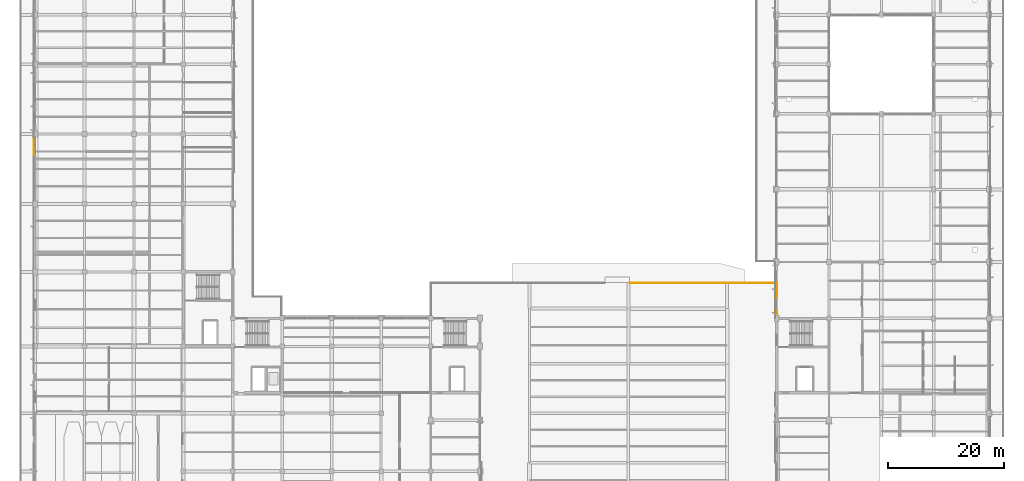
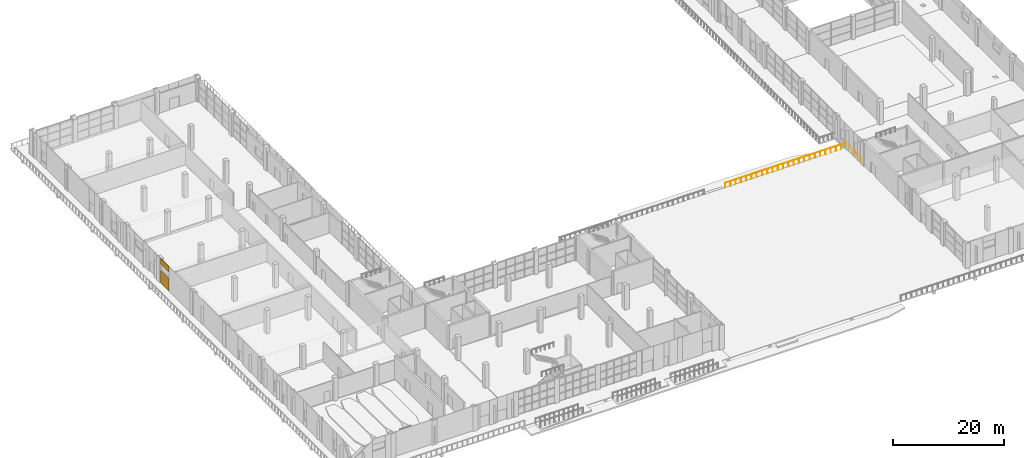
# One storey, part 82 of 90: 2 coverings, 1 railing.
"""IFC4 building model written with IfcOpenShell, lengths in metres."""

from ifc_helpers import new_model, si_unit, direction, frame, origin, origin_2d, place, context, subcontext, project, spatial, rectangle, circle, extrude, material, layer, layer_set, type_object, element, save


model = new_model("IFC4")

# Units and contexts
model_context = context("Model", 3, precision=1e-05, world=origin(), true_north=direction((0.0, 1.0)))
body_context = subcontext(model_context, "Body", "Model", "MODEL_VIEW")
ifc_project = project(units=[si_unit("LENGTHUNIT", "METRE"), si_unit("AREAUNIT", "SQUARE_METRE"), si_unit("VOLUMEUNIT", "CUBIC_METRE"), si_unit("PLANEANGLEUNIT", "RADIAN"), si_unit("MASSUNIT", "GRAM", prefix="KILO")], contexts=[model_context])

# Site, building, storey
site_placement = place(None, origin())
site = spatial("IfcSite", under=ifc_project, at=site_placement, CompositionType="ELEMENT")
building_placement = place(site_placement, origin())
building = spatial("IfcBuilding", under=site, at=building_placement, Name="Solvikara Media Centre", CompositionType="ELEMENT")
storey_placement = place(building_placement, origin())
storey = spatial("IfcBuildingStorey", under=building, at=storey_placement, Name="L00", CompositionType="ELEMENT", Elevation=0.0)

# Coverings
ifc_material_1 = material(Name="GFRC white mineral architectural rainscreen panel")
ifc_layer = layer(ifc_material_1, 0.050048828125)
ifc_layer_set = layer_set([ifc_layer], Name="GFRC white mineral architectural rainscreen panel")
covering_type = type_object("IfcCoveringType", Name="CV-04", PredefinedType="CLADDING", material=ifc_layer_set)
covering_1_placement = place(storey_placement, frame((-0.2451171875, 66.330078125, 0.0), z_axis=(0.0, 0.0, 1.0), x_axis=(0.0, 1.0, 0.0)))
element("IfcCovering", 1, at=covering_1_placement, inside=storey, type_object=covering_type, Name="L00-V4W-CV-S04", PredefinedType="CLADDING", context=body_context, shape_type="SweptSolid", body=[
    extrude(rectangle(XDim=3.0, YDim=0.050048828125, at=origin_2d()), origin(), (0.0, 0.0, 1.0), 2.68994140625),
])
covering_2_placement = place(storey_placement, frame((-0.2451171875, 66.330078125, 4.14990234375), z_axis=(0.0, 0.0, 1.0), x_axis=(0.0, 1.0, 0.0)))
element("IfcCovering", 2, at=covering_2_placement, inside=storey, type_object=covering_type, Name="L00-V4W-CV-H04", PredefinedType="CLADDING", context=body_context, shape_type="SweptSolid", body=[
    extrude(rectangle(XDim=3.0, YDim=0.050048828125, at=origin_2d()), origin(), (0.0, 0.0, 1.0), 1.25),
])

# Railing
ifc_material_2 = material(Name="Steel S355JR", Category="steel")
railing_type = type_object("IfcRailingType", Name="GR-01", PredefinedType="GUARDRAIL", material=ifc_material_2)
railing_placement = place(storey_placement, frame((102.300048828125, 42.8798828125, 0.0)))
element("IfcRailing", 3, at=railing_placement, inside=storey, type_object=railing_type, Name="GR-L00-PRM-04", PredefinedType="GUARDRAIL", context=body_context, shape_type="SweptSolid", body=[
    extrude(circle(Radius=0.02392578125, at=origin_2d()), frame((0.0, 0.0, 1.1259765625), z_axis=(1.0, 0.0, 0.0), x_axis=(0.0, 1.0, 0.0)), (0.0, 0.0, 1.0), 25.14990234375),
    extrude(circle(Radius=0.02392578125, at=origin_2d()), frame((25.14990234375, 0.0, 1.1259765625), z_axis=(0.0, -1.0, 0.0), x_axis=(1.0, 0.0, 0.0)), (0.0, 0.0, 1.0), 6.0),
    extrude(circle(Radius=0.02099609375, at=origin_2d()), origin(), (0.0, 0.0, 1.0), 1.101806640625),
    extrude(circle(Radius=0.02099609375, at=origin_2d()), frame((1.093505859375, 0.0, 0.0)), (0.0, 0.0, 1.0), 1.101806640625),
    extrude(circle(Radius=0.02099609375, at=origin_2d()), frame((2.18701171875, 0.0, 0.0)), (0.0, 0.0, 1.0), 1.101806640625),
    extrude(circle(Radius=0.02099609375, at=origin_2d()), frame((3.280517578125, 0.0, 0.0)), (0.0, 0.0, 1.0), 1.101806640625),
    extrude(circle(Radius=0.02099609375, at=origin_2d()), frame((4.373779296875, 0.0, 0.0)), (0.0, 0.0, 1.0), 1.101806640625),
    extrude(circle(Radius=0.02099609375, at=origin_2d()), frame((5.46728515625, 0.0, 0.0)), (0.0, 0.0, 1.0), 1.101806640625),
    extrude(circle(Radius=0.02099609375, at=origin_2d()), frame((6.560791015625, 0.0, 0.0)), (0.0, 0.0, 1.0), 1.101806640625),
    extrude(circle(Radius=0.02099609375, at=origin_2d()), frame((7.654296875, 0.0, 0.0)), (0.0, 0.0, 1.0), 1.101806640625),
    extrude(circle(Radius=0.02099609375, at=origin_2d()), frame((8.747802734375, 0.0, 0.0)), (0.0, 0.0, 1.0), 1.101806640625),
    extrude(circle(Radius=0.02099609375, at=origin_2d()), frame((9.84130859375, 0.0, 0.0)), (0.0, 0.0, 1.0), 1.101806640625),
    extrude(circle(Radius=0.02099609375, at=origin_2d()), frame((10.934814453125, 0.0, 0.0)), (0.0, 0.0, 1.0), 1.101806640625),
    extrude(circle(Radius=0.02099609375, at=origin_2d()), frame((12.0283203125, 0.0, 0.0)), (0.0, 0.0, 1.0), 1.101806640625),
    extrude(circle(Radius=0.02099609375, at=origin_2d()), frame((13.12158203125, 0.0, 0.0)), (0.0, 0.0, 1.0), 1.101806640625),
    extrude(circle(Radius=0.02099609375, at=origin_2d()), frame((14.215087890625, 0.0, 0.0)), (0.0, 0.0, 1.0), 1.101806640625),
    extrude(circle(Radius=0.02099609375, at=origin_2d()), frame((15.30859375, 0.0, 0.0)), (0.0, 0.0, 1.0), 1.101806640625),
    extrude(circle(Radius=0.02099609375, at=origin_2d()), frame((16.402099609375, 0.0, 0.0)), (0.0, 0.0, 1.0), 1.101806640625),
    extrude(circle(Radius=0.02099609375, at=origin_2d()), frame((17.49560546875, 0.0, 0.0)), (0.0, 0.0, 1.0), 1.101806640625),
    extrude(circle(Radius=0.02099609375, at=origin_2d()), frame((18.589111328125, 0.0, 0.0)), (0.0, 0.0, 1.0), 1.101806640625),
    extrude(circle(Radius=0.02099609375, at=origin_2d()), frame((19.6826171875, 0.0, 0.0)), (0.0, 0.0, 1.0), 1.101806640625),
    extrude(circle(Radius=0.02099609375, at=origin_2d()), frame((20.776123046875, 0.0, 0.0)), (0.0, 0.0, 1.0), 1.101806640625),
    extrude(circle(Radius=0.02099609375, at=origin_2d()), frame((21.869384765625, 0.0, 0.0)), (0.0, 0.0, 1.0), 1.101806640625),
    extrude(circle(Radius=0.02099609375, at=origin_2d()), frame((22.962890625, 0.0, 0.0)), (0.0, 0.0, 1.0), 1.101806640625),
    extrude(circle(Radius=0.02099609375, at=origin_2d()), frame((24.056396484375, 0.0, 0.0)), (0.0, 0.0, 1.0), 1.101806640625),
    extrude(circle(Radius=0.02099609375, at=origin_2d()), frame((25.14990234375, 0.0, 0.0)), (0.0, 0.0, 1.0), 1.101806640625),
    extrude(circle(Radius=0.02099609375, at=origin_2d()), frame((25.14990234375, -1.0, 0.0)), (0.0, 0.0, 1.0), 1.101806640625),
    extrude(circle(Radius=0.02099609375, at=origin_2d()), frame((25.14990234375, -2.0, 0.0)), (0.0, 0.0, 1.0), 1.101806640625),
    extrude(circle(Radius=0.02099609375, at=origin_2d()), frame((25.14990234375, -3.0, 0.0)), (0.0, 0.0, 1.0), 1.101806640625),
    extrude(circle(Radius=0.02099609375, at=origin_2d()), frame((25.14990234375, -4.0, 0.0)), (0.0, 0.0, 1.0), 1.101806640625),
    extrude(circle(Radius=0.02099609375, at=origin_2d()), frame((25.14990234375, -5.0, 0.0)), (0.0, 0.0, 1.0), 1.101806640625),
    extrude(circle(Radius=0.02099609375, at=origin_2d()), frame((25.14990234375, -6.0, 0.0)), (0.0, 0.0, 1.0), 1.101806640625),
])

save(model, "model.ifc")
